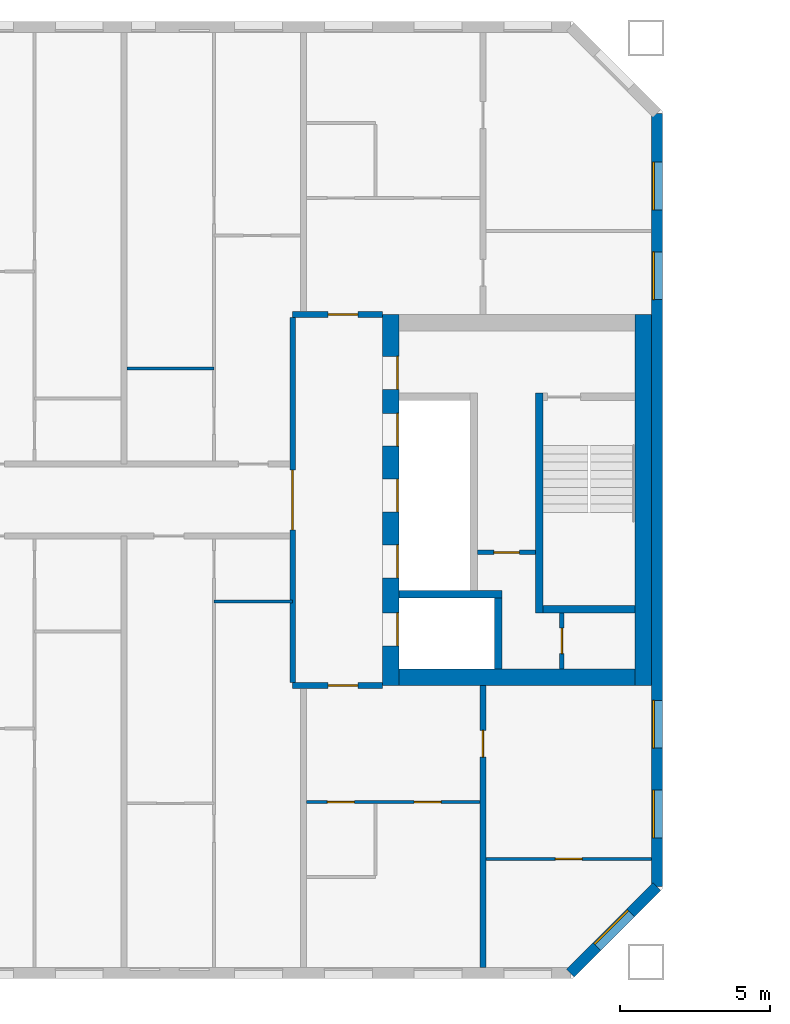
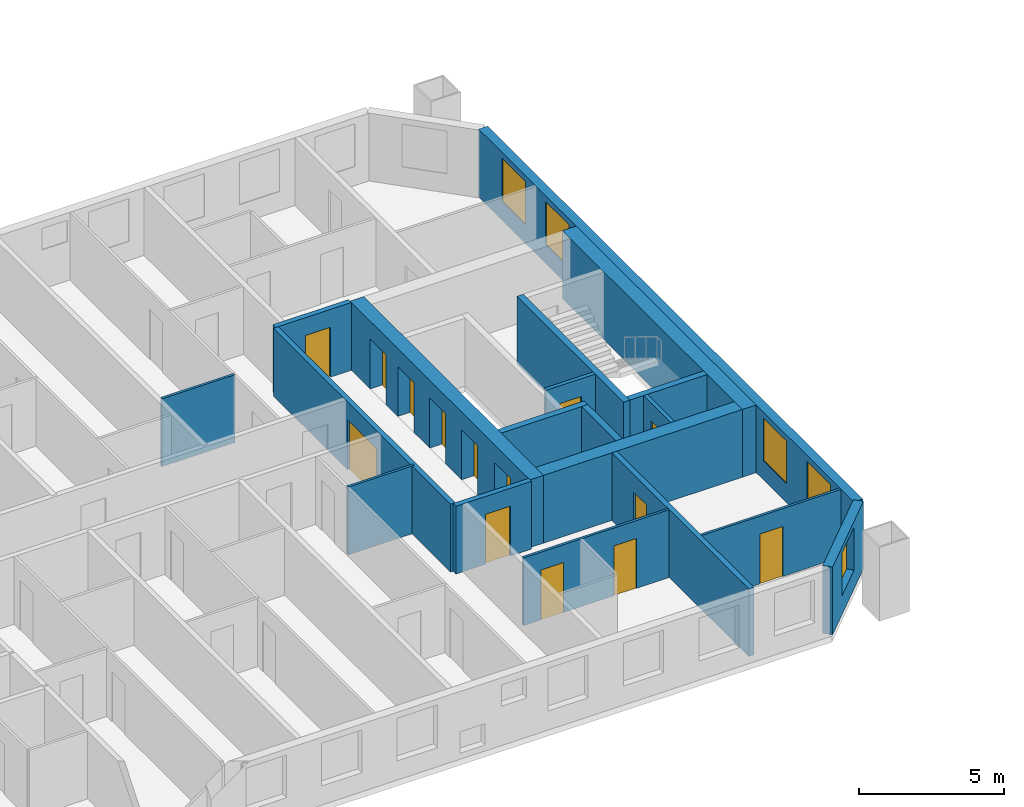
# One storey, part 7 of 16: 19 walls, 14 doors, 5 windows, 19 openings.
"""IFC4 building model written with IfcOpenShell, lengths in metres."""

from ifc_helpers import new_model, si_unit, direction, frame, frame_2d, origin, place, context, subcontext, project, spatial, rectangle, extrude, material, layer, layer_set, type_object, element, fill, save


model = new_model("IFC4")

# Units and contexts
model_context = context("Model", 3, precision=1e-05, world=origin(), true_north=direction((0.0, 1.0)))
body_context = subcontext(model_context, "Body", "Model", "MODEL_VIEW")
ifc_project = project(units=[si_unit("LENGTHUNIT", "METRE"), si_unit("AREAUNIT", "SQUARE_METRE"), si_unit("VOLUMEUNIT", "CUBIC_METRE"), si_unit("PLANEANGLEUNIT", "RADIAN"), si_unit("MASSUNIT", "GRAM", prefix="KILO")], contexts=[model_context])

# Site, building, storey
site_placement = place(None, origin())
site = spatial("IfcSite", under=ifc_project, at=site_placement, CompositionType="ELEMENT")
building_placement = place(site_placement, origin())
building = spatial("IfcBuilding", under=site, at=building_placement, Name="Tuart Gate Housing", CompositionType="ELEMENT")
storey_placement = place(building_placement, frame((0.0, 0.0, 133.0)))
storey = spatial("IfcBuildingStorey", under=building, at=storey_placement, Name="L37", CompositionType="ELEMENT", Elevation=133.0)

# Wall, opening, window
ifc_material_1 = material(Name="Brick", Category="masonry")
ifc_layer_1 = layer(ifc_material_1, 0.360107421875)
ifc_layer_set_1 = layer_set([ifc_layer_1], Name="Brick pier and spandrel wall 360")
wall_type_1 = type_object("IfcWallType", Name="Brick pier and spandrel wall 360", PredefinedType="STANDARD", material=ifc_layer_set_1)
wall_1_placement = place(storey_placement, frame((72.92529296875, 54.179931640625, 0.0), z_axis=(0.0, 0.0, 1.0), x_axis=(0.707106781187, 0.707106781187, 0.0)))
wall_1 = element("IfcWall", 1, at=wall_1_placement, inside=storey, type_object=wall_type_1, Name="External wall A-SE L37", PredefinedType="STANDARD", context=body_context, shape_type="SweptSolid", body=[
    extrude(rectangle(XDim=4.09375, YDim=0.360107421875, at=frame_2d((2.046875, 0.0))), origin(), (0.0, 0.0, 1.0), 2.85009765625),
])
opening_1_placement = place(wall_1_placement, frame((1.2470703125, 0.0, 0.800048828125)))
opening_1 = element("IfcOpeningElement", 2, at=opening_1_placement, cuts=wall_1, Name="Opening W1", PredefinedType="OPENING", context=body_context, shape_type="SweptSolid", body=[
    extrude(rectangle(XDim=1.60009765625, YDim=1.800048828125, at=frame_2d((0.800048828125, 0.89990234375))), frame((0.0, 0.18994140625, 0.0), z_axis=(0.0, -1.0, 0.0), x_axis=(1.0, 0.0, 0.0)), (0.0, 0.0, 1.0), 0.380126953125),
])
ifc_material_2 = material(Name="Aluminium frame with clear glass", Category="aluminium")
window_type = type_object("IfcWindowType", Name="Punched window 1600 x 1800", PartitioningType="SINGLE_PANEL", PredefinedType="WINDOW", material=ifc_material_2)
window_1_placement = place(opening_1_placement, origin())
window_1 = element("IfcWindow", 3, at=window_1_placement, inside=storey, type_object=window_type, Name="Window W1", OverallHeight=1.800048828125, OverallWidth=1.60009765625, PartitioningType="SINGLE_PANEL", PredefinedType="WINDOW", context=body_context, shape_type="SweptSolid", body=[
    extrude(rectangle(XDim=1.60009765625, YDim=1.800048828125, at=frame_2d((0.800048828125, 0.89990234375))), frame((0.0, 0.150146484375, 0.0), z_axis=(0.0, -1.0, 0.0), x_axis=(1.0, 0.0, 0.0)), (0.0, 0.0, 1.0), 0.06005859375),
])
fill(opening_1, window_1)

# Wall, openings, windows
wall_2_placement = place(storey_placement, frame((75.820068359375, 57.07470703125, 0.0), z_axis=(0.0, 0.0, 1.0), x_axis=(0.0, 1.0, 0.0)))
wall_2 = element("IfcWall", 4, at=wall_2_placement, inside=storey, type_object=wall_type_1, Name="External wall A-E L37", PredefinedType="STANDARD", context=body_context, shape_type="SweptSolid", body=[
    extrude(rectangle(XDim=25.850830078125, YDim=0.360107421875, at=frame_2d((12.92529296875, 0.0))), origin(), (0.0, 0.0, 1.0), 2.85009765625),
])
opening_2_placement = place(wall_2_placement, frame((1.62548828125, 0.0, 0.800048828125)))
opening_2 = element("IfcOpeningElement", 5, at=opening_2_placement, cuts=wall_2, Name="Opening W1", PredefinedType="OPENING", context=body_context, shape_type="SweptSolid", body=[
    extrude(rectangle(XDim=1.60009765625, YDim=1.800048828125, at=frame_2d((0.800048828125, 0.89990234375))), frame((0.0, 0.18994140625, 0.0), z_axis=(0.0, -1.0, 0.0), x_axis=(1.0, 0.0, 0.0)), (0.0, 0.0, 1.0), 0.380126953125),
])
opening_3_placement = place(wall_2_placement, frame((4.62548828125, 0.0, 0.800048828125)))
opening_3 = element("IfcOpeningElement", 6, at=opening_3_placement, cuts=wall_2, Name="Opening W1", PredefinedType="OPENING", context=body_context, shape_type="SweptSolid", body=[
    extrude(rectangle(XDim=1.60009765625, YDim=1.800048828125, at=frame_2d((0.800048828125, 0.89990234375))), frame((0.0, 0.18994140625, 0.0), z_axis=(0.0, -1.0, 0.0), x_axis=(1.0, 0.0, 0.0)), (0.0, 0.0, 1.0), 0.380126953125),
])
opening_4_placement = place(wall_2_placement, frame((19.62548828125, 0.0, 0.800048828125)))
opening_4 = element("IfcOpeningElement", 7, at=opening_4_placement, cuts=wall_2, Name="Opening W1", PredefinedType="OPENING", context=body_context, shape_type="SweptSolid", body=[
    extrude(rectangle(XDim=1.60009765625, YDim=1.800048828125, at=frame_2d((0.800048828125, 0.89990234375))), frame((0.0, 0.18994140625, 0.0), z_axis=(0.0, -1.0, 0.0), x_axis=(1.0, 0.0, 0.0)), (0.0, 0.0, 1.0), 0.380126953125),
])
opening_5_placement = place(wall_2_placement, frame((22.62548828125, 0.0, 0.800048828125)))
opening_5 = element("IfcOpeningElement", 8, at=opening_5_placement, cuts=wall_2, Name="Opening W1", PredefinedType="OPENING", context=body_context, shape_type="SweptSolid", body=[
    extrude(rectangle(XDim=1.60009765625, YDim=1.800048828125, at=frame_2d((0.800048828125, 0.89990234375))), frame((0.0, 0.18994140625, 0.0), z_axis=(0.0, -1.0, 0.0), x_axis=(1.0, 0.0, 0.0)), (0.0, 0.0, 1.0), 0.380126953125),
])
window_2_placement = place(opening_2_placement, origin())
window_2 = element("IfcWindow", 9, at=window_2_placement, inside=storey, type_object=window_type, Name="Window W1", OverallHeight=1.800048828125, OverallWidth=1.60009765625, PartitioningType="SINGLE_PANEL", PredefinedType="WINDOW", context=body_context, shape_type="SweptSolid", body=[
    extrude(rectangle(XDim=1.60009765625, YDim=1.800048828125, at=frame_2d((0.800048828125, 0.89990234375))), frame((0.0, 0.150146484375, 0.0), z_axis=(0.0, -1.0, 0.0), x_axis=(1.0, 0.0, 0.0)), (0.0, 0.0, 1.0), 0.06005859375),
])
fill(opening_2, window_2)
window_3_placement = place(opening_3_placement, origin())
window_3 = element("IfcWindow", 10, at=window_3_placement, inside=storey, type_object=window_type, Name="Window W1", OverallHeight=1.800048828125, OverallWidth=1.60009765625, PartitioningType="SINGLE_PANEL", PredefinedType="WINDOW", context=body_context, shape_type="SweptSolid", body=[
    extrude(rectangle(XDim=1.60009765625, YDim=1.800048828125, at=frame_2d((0.800048828125, 0.89990234375))), frame((0.0, 0.150146484375, 0.0), z_axis=(0.0, -1.0, 0.0), x_axis=(1.0, 0.0, 0.0)), (0.0, 0.0, 1.0), 0.06005859375),
])
fill(opening_3, window_3)
window_4_placement = place(opening_4_placement, origin())
window_4 = element("IfcWindow", 11, at=window_4_placement, inside=storey, type_object=window_type, Name="Window W1", OverallHeight=1.800048828125, OverallWidth=1.60009765625, PartitioningType="SINGLE_PANEL", PredefinedType="WINDOW", context=body_context, shape_type="SweptSolid", body=[
    extrude(rectangle(XDim=1.60009765625, YDim=1.800048828125, at=frame_2d((0.800048828125, 0.89990234375))), frame((0.0, 0.150146484375, 0.0), z_axis=(0.0, -1.0, 0.0), x_axis=(1.0, 0.0, 0.0)), (0.0, 0.0, 1.0), 0.06005859375),
])
fill(opening_4, window_4)
window_5_placement = place(opening_5_placement, origin())
window_5 = element("IfcWindow", 12, at=window_5_placement, inside=storey, type_object=window_type, Name="Window W1", OverallHeight=1.800048828125, OverallWidth=1.60009765625, PartitioningType="SINGLE_PANEL", PredefinedType="WINDOW", context=body_context, shape_type="SweptSolid", body=[
    extrude(rectangle(XDim=1.60009765625, YDim=1.800048828125, at=frame_2d((0.800048828125, 0.89990234375))), frame((0.0, 0.150146484375, 0.0), z_axis=(0.0, -1.0, 0.0), x_axis=(1.0, 0.0, 0.0)), (0.0, 0.0, 1.0), 0.06005859375),
])
fill(opening_5, window_5)

# Wall, opening, door
ifc_material_3 = material(Name="Plasterboard partition")
ifc_layer_2 = layer(ifc_material_3, 0.14990234375)
ifc_layer_set_2 = layer_set([ifc_layer_2], Name="Core partition 150")
wall_type_2 = type_object("IfcWallType", Name="Core partition 150", PredefinedType="PARTITIONING", material=ifc_layer_set_2)
wall_3_placement = place(storey_placement, frame((69.81494140625, 68.25, 0.0), z_axis=(0.0, 0.0, 1.0), x_axis=(1.0, 0.0, 0.0)))
wall_3 = element("IfcWall", 13, at=wall_3_placement, inside=storey, type_object=wall_type_2, Name="Core partition AG.3", PredefinedType="PARTITIONING", context=body_context, shape_type="SweptSolid", body=[
    extrude(rectangle(XDim=1.949951171875, YDim=0.14990234375, at=frame_2d((0.97509765625, 0.0))), origin(), (0.0, 0.0, 1.0), 2.85009765625),
])
opening_6_placement = place(wall_3_placement, frame((0.550048828125, 0.0, 0.0)))
opening_6 = element("IfcOpeningElement", 14, at=opening_6_placement, cuts=wall_3, Name="Opening D1440", PredefinedType="OPENING", context=body_context, shape_type="SweptSolid", body=[
    extrude(rectangle(XDim=0.85009765625, YDim=2.10009765625, at=frame_2d((0.425048828125, 1.050048828125))), frame((0.0, 0.0849609375, 0.0), z_axis=(0.0, -1.0, 0.0), x_axis=(1.0, 0.0, 0.0)), (0.0, 0.0, 1.0), 0.169921875),
])
ifc_material_4 = material(Name="Steel fire door", Category="steel")
door_type_1 = type_object("IfcDoorType", Name="Riser door 850 x 2100 RH", OperationType="SINGLE_SWING_RIGHT", PredefinedType="DOOR", material=ifc_material_4)
door_1_placement = place(opening_6_placement, frame((0.85009765625, 0.0, 0.0), z_axis=(0.0, 0.0, 1.0), x_axis=(-1.0, 0.0, 0.0)))
door_1 = element("IfcDoor", 15, at=door_1_placement, inside=storey, type_object=door_type_1, Name="Service room door AG.E1", OperationType="SINGLE_SWING_RIGHT", OverallHeight=2.10009765625, OverallWidth=0.85009765625, PredefinedType="DOOR", context=body_context, shape_type="SweptSolid", body=[
    extrude(rectangle(XDim=0.85009765625, YDim=2.10009765625, at=frame_2d((0.425048828125, 1.050048828125))), frame((0.0, 0.025146484375, 0.0), z_axis=(0.0, -1.0, 0.0), x_axis=(1.0, 0.0, 0.0)), (0.0, 0.0, 1.0), 0.050048828125),
])
fill(opening_6, door_1)

wall_4_placement = place(storey_placement, frame((72.639892578125, 64.35009765625, 0.0), z_axis=(0.0, 0.0, 1.0), x_axis=(0.0, 1.0, 0.0)))
wall_4 = element("IfcWall", 16, at=wall_4_placement, inside=storey, type_object=wall_type_2, Name="Core partition AG.9", PredefinedType="PARTITIONING", context=body_context, shape_type="SweptSolid", body=[
    extrude(rectangle(XDim=1.875, YDim=0.14990234375, at=frame_2d((0.9375, 0.0))), origin(), (0.0, 0.0, 1.0), 2.85009765625),
])
opening_7_placement = place(wall_4_placement, frame((0.512451171875, 0.0, 0.0)))
opening_7 = element("IfcOpeningElement", 17, at=opening_7_placement, cuts=wall_4, Name="Opening D1442", PredefinedType="OPENING", context=body_context, shape_type="SweptSolid", body=[
    extrude(rectangle(XDim=0.85009765625, YDim=2.10009765625, at=frame_2d((0.425048828125, 1.050048828125))), frame((0.0, 0.0849609375, 0.0), z_axis=(0.0, -1.0, 0.0), x_axis=(1.0, 0.0, 0.0)), (0.0, 0.0, 1.0), 0.169921875),
])
ifc_material_5 = material(Name="Steel fire door", Category="steel")
door_type_2 = type_object("IfcDoorType", Name="Service door 850 x 2100", OperationType="SINGLE_SWING_LEFT", PredefinedType="DOOR", material=ifc_material_5)
door_2_placement = place(opening_7_placement, origin())
door_2 = element("IfcDoor", 18, at=door_2_placement, inside=storey, type_object=door_type_2, Name="Service room door AG.E2", OperationType="SINGLE_SWING_LEFT", OverallHeight=2.10009765625, OverallWidth=0.85009765625, PredefinedType="DOOR", context=body_context, shape_type="SweptSolid", body=[
    extrude(rectangle(XDim=0.85009765625, YDim=2.10009765625, at=frame_2d((0.425048828125, 1.050048828125))), frame((0.0, 0.02490234375, 0.0), z_axis=(0.0, -1.0, 0.0), x_axis=(1.0, 0.0, 0.0)), (0.0, 0.0, 1.0), 0.050048828125),
])
fill(opening_7, door_2)

# Walls
ifc_material_6 = material(Name="Concrete C50", Category="concrete")
ifc_layer_3 = layer(ifc_material_6, 0.25)
ifc_layer_set_3 = layer_set([ifc_layer_3], Name="Core wall 250 C50")
wall_type_3 = type_object("IfcWallType", Name="Core wall 250 C50", PredefinedType="SHEAR", material=ifc_layer_set_3)
wall_5_placement = place(storey_placement, frame((72.014892578125, 66.35009765625, 0.0), z_axis=(0.0, 0.0, 1.0), x_axis=(1.0, 0.0, 0.0)))
element("IfcWall", 19, at=wall_5_placement, inside=storey, type_object=wall_type_3, Name="Core wall AG.1", PredefinedType="SHEAR", context=body_context, shape_type="SweptSolid", body=[
    extrude(rectangle(XDim=3.0751953125, YDim=0.25, at=frame_2d((1.53759765625, 0.0))), origin(), (0.0, 0.0, 1.0), 2.85009765625),
])
wall_6_placement = place(storey_placement, frame((67.18994140625, 66.85009765625, 0.0), z_axis=(0.0, 0.0, 1.0), x_axis=(1.0, 0.0, 0.0)))
element("IfcWall", 20, at=wall_6_placement, inside=storey, type_object=wall_type_3, Name="Core wall AG.2", PredefinedType="SHEAR", context=body_context, shape_type="SweptSolid", body=[
    extrude(rectangle(XDim=3.445068359375, YDim=0.25, at=frame_2d((1.72265625, 0.0))), origin(), (0.0, 0.0, 1.0), 2.85009765625),
])
wall_7_placement = place(storey_placement, frame((70.510009765625, 64.35009765625, 0.0), z_axis=(0.0, 0.0, 1.0), x_axis=(0.0, 1.0, 0.0)))
element("IfcWall", 21, at=wall_7_placement, inside=storey, type_object=wall_type_3, Name="Core wall AG.7", PredefinedType="SHEAR", context=body_context, shape_type="SweptSolid", body=[
    extrude(rectangle(XDim=2.375, YDim=0.25, at=frame_2d((1.1875, 0.0))), origin(), (0.0, 0.0, 1.0), 2.85009765625),
])
wall_8_placement = place(storey_placement, frame((71.889892578125, 66.22509765625, 0.0), z_axis=(0.0, 0.0, 1.0), x_axis=(0.0, 1.0, 0.0)))
element("IfcWall", 22, at=wall_8_placement, inside=storey, type_object=wall_type_3, Name="Core wall AG.8", PredefinedType="SHEAR", context=body_context, shape_type="SweptSolid", body=[
    extrude(rectangle(XDim=7.349853515625, YDim=0.25, at=frame_2d((3.6748046875, 0.0))), origin(), (0.0, 0.0, 1.0), 2.85009765625),
])

# Wall, openings, doors
ifc_material_7 = material(Name="Concrete C50", Category="concrete")
ifc_layer_4 = layer(ifc_material_7, 0.550048828125)
ifc_layer_set_4 = layer_set([ifc_layer_4], Name="Core wall 550 C50")
wall_type_4 = type_object("IfcWallType", Name="Core wall 550 C50", PredefinedType="SHEAR", material=ifc_layer_set_4)
wall_9_placement = place(storey_placement, frame((66.9150390625, 63.800048828125, 0.0), z_axis=(0.0, 0.0, 1.0), x_axis=(0.0, 1.0, 0.0)))
wall_9 = element("IfcWall", 23, at=wall_9_placement, inside=storey, type_object=wall_type_4, Name="Core wall AG front", PredefinedType="SHEAR", context=body_context, shape_type="SweptSolid", body=[
    extrude(rectangle(XDim=12.39990234375, YDim=0.550048828125, at=frame_2d((6.199951171875, 0.0))), origin(), (0.0, 0.0, 1.0), 2.85009765625),
])
opening_8_placement = place(wall_9_placement, frame((1.324951171875, 0.0, 0.0)))
opening_8 = element("IfcOpeningElement", 24, at=opening_8_placement, cuts=wall_9, Name="Opening LD-FA1", PredefinedType="OPENING", context=body_context, shape_type="SweptSolid", body=[
    extrude(rectangle(XDim=1.10009765625, YDim=2.10009765625, at=frame_2d((0.550048828125, 1.050048828125))), frame((0.0, 0.284912109375, 0.0), z_axis=(0.0, -1.0, 0.0), x_axis=(1.0, 0.0, 0.0)), (0.0, 0.0, 1.0), 0.570068359375),
])
opening_9_placement = place(wall_9_placement, frame((3.60009765625, 0.0, 0.0)))
opening_9 = element("IfcOpeningElement", 25, at=opening_9_placement, cuts=wall_9, Name="Opening LD-LA1", PredefinedType="OPENING", context=body_context, shape_type="SweptSolid", body=[
    extrude(rectangle(XDim=1.10009765625, YDim=2.10009765625, at=frame_2d((0.550048828125, 1.050048828125))), frame((0.0, 0.284912109375, 0.0), z_axis=(0.0, -1.0, 0.0), x_axis=(1.0, 0.0, 0.0)), (0.0, 0.0, 1.0), 0.570068359375),
])
opening_10_placement = place(wall_9_placement, frame((5.800048828125, 0.0, 0.0)))
opening_10 = element("IfcOpeningElement", 26, at=opening_10_placement, cuts=wall_9, Name="Opening LD-LA2", PredefinedType="OPENING", context=body_context, shape_type="SweptSolid", body=[
    extrude(rectangle(XDim=1.10009765625, YDim=2.10009765625, at=frame_2d((0.550048828125, 1.050048828125))), frame((0.0, 0.284912109375, 0.0), z_axis=(0.0, -1.0, 0.0), x_axis=(1.0, 0.0, 0.0)), (0.0, 0.0, 1.0), 0.570068359375),
])
opening_11_placement = place(wall_9_placement, frame((8.0, 0.0, 0.0)))
opening_11 = element("IfcOpeningElement", 27, at=opening_11_placement, cuts=wall_9, Name="Opening LD-LA3", PredefinedType="OPENING", context=body_context, shape_type="SweptSolid", body=[
    extrude(rectangle(XDim=1.10009765625, YDim=2.10009765625, at=frame_2d((0.550048828125, 1.050048828125))), frame((0.0, 0.284912109375, 0.0), z_axis=(0.0, -1.0, 0.0), x_axis=(1.0, 0.0, 0.0)), (0.0, 0.0, 1.0), 0.570068359375),
])
opening_12_placement = place(wall_9_placement, frame((9.89990234375, 0.0, 0.0)))
opening_12 = element("IfcOpeningElement", 28, at=opening_12_placement, cuts=wall_9, Name="Opening D1436", PredefinedType="OPENING", context=body_context, shape_type="SweptSolid", body=[
    extrude(rectangle(XDim=1.10009765625, YDim=2.10009765625, at=frame_2d((0.550048828125, 1.050048828125))), frame((0.0, 0.284912109375, 0.0), z_axis=(0.0, -1.0, 0.0), x_axis=(1.0, 0.0, 0.0)), (0.0, 0.0, 1.0), 0.570068359375),
])
ifc_material_8 = material(Name="Stainless steel", Category="steel")
door_type_3 = type_object("IfcDoorType", Name="Landing door 1100 x 2100", OperationType="DOUBLE_DOOR_SLIDING", PredefinedType="DOOR", material=ifc_material_8)
door_3_placement = place(opening_8_placement, origin())
door_3 = element("IfcDoor", 29, at=door_3_placement, inside=storey, type_object=door_type_3, Name="Lift landing door FA1", OperationType="DOUBLE_DOOR_SLIDING", OverallHeight=2.10009765625, OverallWidth=1.10009765625, PredefinedType="DOOR", context=body_context, shape_type="SweptSolid", body=[
    extrude(rectangle(XDim=1.10009765625, YDim=2.10009765625, at=frame_2d((0.550048828125, 1.050048828125))), frame((0.0, -0.2099609375, 0.0), z_axis=(0.0, -1.0, 0.0), x_axis=(1.0, 0.0, 0.0)), (0.0, 0.0, 1.0), 0.050048828125),
])
fill(opening_8, door_3)
door_4_placement = place(opening_9_placement, origin())
door_4 = element("IfcDoor", 30, at=door_4_placement, inside=storey, type_object=door_type_3, Name="Lift landing door LA1", OperationType="DOUBLE_DOOR_SLIDING", OverallHeight=2.10009765625, OverallWidth=1.10009765625, PredefinedType="DOOR", context=body_context, shape_type="SweptSolid", body=[
    extrude(rectangle(XDim=1.10009765625, YDim=2.10009765625, at=frame_2d((0.550048828125, 1.050048828125))), frame((0.0, -0.2099609375, 0.0), z_axis=(0.0, -1.0, 0.0), x_axis=(1.0, 0.0, 0.0)), (0.0, 0.0, 1.0), 0.050048828125),
])
fill(opening_9, door_4)
door_5_placement = place(opening_10_placement, origin())
door_5 = element("IfcDoor", 31, at=door_5_placement, inside=storey, type_object=door_type_3, Name="Lift landing door LA2", OperationType="DOUBLE_DOOR_SLIDING", OverallHeight=2.10009765625, OverallWidth=1.10009765625, PredefinedType="DOOR", context=body_context, shape_type="SweptSolid", body=[
    extrude(rectangle(XDim=1.10009765625, YDim=2.10009765625, at=frame_2d((0.550048828125, 1.050048828125))), frame((0.0, -0.2099609375, 0.0), z_axis=(0.0, -1.0, 0.0), x_axis=(1.0, 0.0, 0.0)), (0.0, 0.0, 1.0), 0.050048828125),
])
fill(opening_10, door_5)
door_6_placement = place(opening_11_placement, origin())
door_6 = element("IfcDoor", 32, at=door_6_placement, inside=storey, type_object=door_type_3, Name="Lift landing door LA3", OperationType="DOUBLE_DOOR_SLIDING", OverallHeight=2.10009765625, OverallWidth=1.10009765625, PredefinedType="DOOR", context=body_context, shape_type="SweptSolid", body=[
    extrude(rectangle(XDim=1.10009765625, YDim=2.10009765625, at=frame_2d((0.550048828125, 1.050048828125))), frame((0.0, -0.2099609375, 0.0), z_axis=(0.0, -1.0, 0.0), x_axis=(1.0, 0.0, 0.0)), (0.0, 0.0, 1.0), 0.050048828125),
])
fill(opening_11, door_6)
ifc_material_9 = material(Name="Steel fire door", Category="steel")
door_type_4 = type_object("IfcDoorType", Name="Lobby door 1100 x 2100 RH", OperationType="SINGLE_SWING_RIGHT", PredefinedType="DOOR", material=ifc_material_9)
door_7_placement = place(opening_12_placement, frame((1.10009765625, 0.0, 0.0), z_axis=(0.0, 0.0, 1.0), x_axis=(-1.0, 0.0, 0.0)))
door_7 = element("IfcDoor", 33, at=door_7_placement, inside=storey, type_object=door_type_4, Name="Lobby entry door AG.EN", OperationType="SINGLE_SWING_RIGHT", OverallHeight=2.10009765625, OverallWidth=1.10009765625, PredefinedType="DOOR", context=body_context, shape_type="SweptSolid", body=[
    extrude(rectangle(XDim=1.10009765625, YDim=2.10009765625, at=frame_2d((0.550048828125, 1.050048828125))), frame((0.0, 0.260009765625, 0.0), z_axis=(0.0, -1.0, 0.0), x_axis=(1.0, 0.0, 0.0)), (0.0, 0.0, 1.0), 0.050048828125),
])
fill(opening_12, door_7)

# Walls
wall_10_placement = place(storey_placement, frame((75.364990234375, 63.800048828125, 0.0), z_axis=(0.0, 0.0, 1.0), x_axis=(0.0, 1.0, 0.0)))
element("IfcWall", 34, at=wall_10_placement, inside=storey, type_object=wall_type_4, Name="Core wall AG back", PredefinedType="SHEAR", context=body_context, shape_type="SweptSolid", body=[
    extrude(rectangle(XDim=12.39990234375, YDim=0.550048828125, at=frame_2d((6.199951171875, 0.0))), origin(), (0.0, 0.0, 1.0), 2.85009765625),
])
wall_11_placement = place(storey_placement, frame((67.18994140625, 64.074951171875, 0.0), z_axis=(0.0, 0.0, 1.0), x_axis=(1.0, 0.0, 0.0)))
element("IfcWall", 35, at=wall_11_placement, inside=storey, type_object=wall_type_4, Name="Core wall AG south", PredefinedType="SHEAR", context=body_context, shape_type="SweptSolid", body=[
    extrude(rectangle(XDim=7.900146484375, YDim=0.550048828125, at=frame_2d((3.9501953125, 0.0))), origin(), (0.0, 0.0, 1.0), 2.85009765625),
])

# Wall, opening, door
ifc_material_10 = material(Name="Concrete masonry 15 MPa", Category="masonry")
ifc_layer_5 = layer(ifc_material_10, 0.199951171875)
ifc_layer_set_5 = layer_set([ifc_layer_5], Name="Enclosure wall masonry 200")
wall_type_5 = type_object("IfcWallType", Name="Enclosure wall masonry 200", PredefinedType="PARTITIONING", material=ifc_layer_set_5)
wall_12_placement = place(storey_placement, frame((63.639892578125, 63.800048828125, 0.0), z_axis=(0.0, 0.0, 1.0), x_axis=(1.0, 0.0, 0.0)))
wall_12 = element("IfcWall", 36, at=wall_12_placement, inside=storey, type_object=wall_type_5, Name="Enclosure wall masonry 200", PredefinedType="PARTITIONING", context=body_context, shape_type="SweptSolid", body=[
    extrude(rectangle(XDim=3.0, YDim=0.199951171875, at=frame_2d((1.5, 0.0))), origin(), (0.0, 0.0, 1.0), 2.85009765625),
])
opening_13_placement = place(wall_12_placement, frame((1.179931640625, 0.0, 0.0)))
opening_13 = element("IfcOpeningElement", 37, at=opening_13_placement, cuts=wall_12, Name="Opening D1444", PredefinedType="OPENING", context=body_context, shape_type="SweptSolid", body=[
    extrude(rectangle(XDim=1.0, YDim=2.10009765625, at=frame_2d((0.5, 1.050048828125))), frame((0.0, 0.10986328125, 0.0), z_axis=(0.0, -1.0, 0.0), x_axis=(1.0, 0.0, 0.0)), (0.0, 0.0, 1.0), 0.219970703125),
])
ifc_material_11 = material(Name="Timber door leaf in steel frame", Category="steel")
door_type_5 = type_object("IfcDoorType", Name="Flat entrance door 1000 RH", OperationType="SINGLE_SWING_RIGHT", PredefinedType="DOOR", material=ifc_material_11)
door_8_placement = place(opening_13_placement, frame((1.0, 0.0, 0.0), z_axis=(0.0, 0.0, 1.0), x_axis=(-1.0, 0.0, 0.0)))
door_8 = element("IfcDoor", 38, at=door_8_placement, inside=storey, type_object=door_type_5, Name="Flat entrance door", OperationType="SINGLE_SWING_RIGHT", OverallHeight=2.10009765625, OverallWidth=1.0, PredefinedType="DOOR", context=body_context, shape_type="SweptSolid", body=[
    extrude(rectangle(XDim=1.0, YDim=2.10009765625, at=frame_2d((0.5, 1.050048828125))), frame((0.0, 0.025146484375, 0.0), z_axis=(0.0, -1.0, 0.0), x_axis=(1.0, 0.0, 0.0)), (0.0, 0.0, 1.0), 0.050048828125),
])
fill(opening_13, door_8)

wall_13_placement = place(storey_placement, frame((63.639892578125, 76.199951171875, 0.0), z_axis=(0.0, 0.0, 1.0), x_axis=(1.0, 0.0, 0.0)))
wall_13 = element("IfcWall", 39, at=wall_13_placement, inside=storey, type_object=wall_type_5, Name="Enclosure wall masonry 200", PredefinedType="PARTITIONING", context=body_context, shape_type="SweptSolid", body=[
    extrude(rectangle(XDim=3.0, YDim=0.199951171875, at=frame_2d((1.5, 0.0))), origin(), (0.0, 0.0, 1.0), 2.85009765625),
])
opening_14_placement = place(wall_13_placement, frame((1.179931640625, 0.0, 0.0)))
opening_14 = element("IfcOpeningElement", 40, at=opening_14_placement, cuts=wall_13, Name="Opening D1422", PredefinedType="OPENING", context=body_context, shape_type="SweptSolid", body=[
    extrude(rectangle(XDim=1.0, YDim=2.10009765625, at=frame_2d((0.5, 1.050048828125))), frame((0.0, 0.10986328125, 0.0), z_axis=(0.0, -1.0, 0.0), x_axis=(1.0, 0.0, 0.0)), (0.0, 0.0, 1.0), 0.219970703125),
])
ifc_material_12 = material(Name="Timber door leaf in steel frame", Category="steel")
door_type_6 = type_object("IfcDoorType", Name="Flat entrance door 1000", OperationType="SINGLE_SWING_LEFT", PredefinedType="DOOR", material=ifc_material_12)
door_9_placement = place(opening_14_placement, origin())
door_9 = element("IfcDoor", 41, at=door_9_placement, inside=storey, type_object=door_type_6, Name="Flat entrance door", OperationType="SINGLE_SWING_LEFT", OverallHeight=2.10009765625, OverallWidth=1.0, PredefinedType="DOOR", context=body_context, shape_type="SweptSolid", body=[
    extrude(rectangle(XDim=1.0, YDim=2.10009765625, at=frame_2d((0.5, 1.050048828125))), frame((0.0, 0.02490234375, 0.0), z_axis=(0.0, -1.0, 0.0), x_axis=(1.0, 0.0, 0.0)), (0.0, 0.0, 1.0), 0.050048828125),
])
fill(opening_14, door_9)

ifc_material_13 = material(Name="Plasterboard partition")
ifc_layer_6 = layer(ifc_material_13, 0.199951171875)
ifc_layer_set_6 = layer_set([ifc_layer_6], Name="Lobby wall 200")
wall_type_6 = type_object("IfcWallType", Name="Lobby wall 200", PredefinedType="PARTITIONING", material=ifc_layer_set_6)
wall_14_placement = place(storey_placement, frame((63.639892578125, 63.89990234375, 0.0), z_axis=(0.0, 0.0, 1.0), x_axis=(0.0, 1.0, 0.0)))
wall_14 = element("IfcWall", 42, at=wall_14_placement, inside=storey, type_object=wall_type_6, Name="Lift lobby wall AG", PredefinedType="PARTITIONING", context=body_context, shape_type="SweptSolid", body=[
    extrude(rectangle(XDim=12.2001953125, YDim=0.199951171875, at=frame_2d((6.10009765625, 0.0))), origin(), (0.0, 0.0, 1.0), 2.85009765625),
])
opening_15_placement = place(wall_14_placement, frame((5.10009765625, 0.0, 0.0)))
opening_15 = element("IfcOpeningElement", 43, at=opening_15_placement, cuts=wall_14, Name="Opening D1435", PredefinedType="OPENING", context=body_context, shape_type="SweptSolid", body=[
    extrude(rectangle(XDim=2.0, YDim=2.10009765625, at=frame_2d((1.0, 1.050048828125))), frame((0.0, 0.10986328125, 0.0), z_axis=(0.0, -1.0, 0.0), x_axis=(1.0, 0.0, 0.0)), (0.0, 0.0, 1.0), 0.219970703125),
])
ifc_material_14 = material(Name="Steel fire door", Category="steel")
door_type_7 = type_object("IfcDoorType", Name="Smoke door 2000 x 2100", OperationType="DOUBLE_DOOR_SINGLE_SWING", PredefinedType="DOOR", material=ifc_material_14)
door_10_placement = place(opening_15_placement, frame((2.0, 0.0, 0.0), z_axis=(0.0, 0.0, 1.0), x_axis=(-1.0, 0.0, 0.0)))
door_10 = element("IfcDoor", 44, at=door_10_placement, inside=storey, type_object=door_type_7, Name="Lift lobby smoke door AG", OperationType="DOUBLE_DOOR_SINGLE_SWING", OverallHeight=2.10009765625, OverallWidth=2.0, PredefinedType="DOOR", context=body_context, shape_type="SweptSolid", body=[
    extrude(rectangle(XDim=2.0, YDim=2.10009765625, at=frame_2d((1.0, 1.050048828125))), frame((0.0, 0.025146484375, 0.0), z_axis=(0.0, -1.0, 0.0), x_axis=(1.0, 0.0, 0.0)), (0.0, 0.0, 1.0), 0.050048828125),
])
fill(opening_15, door_10)

ifc_material_15 = material(Name="Gypsum board on steel studs", Category="steel")
ifc_layer_7 = layer(ifc_material_15, 0.10009765625)
ifc_layer_set_7 = layer_set([ifc_layer_7], Name="Partition 100")
wall_type_7 = type_object("IfcWallType", Name="Partition 100", PredefinedType="PARTITIONING", material=ifc_layer_set_7)
wall_15_placement = place(storey_placement, frame((70.10009765625, 58.0, 0.0), z_axis=(0.0, 0.0, 1.0), x_axis=(1.0, 0.0, 0.0)))
wall_15 = element("IfcWall", 45, at=wall_15_placement, inside=storey, type_object=wall_type_7, Name="Partition 100", PredefinedType="PARTITIONING", context=body_context, shape_type="SweptSolid", body=[
    extrude(rectangle(XDim=5.539794921875, YDim=0.10009765625, at=frame_2d((2.77001953125, 0.0))), origin(), (0.0, 0.0, 1.0), 2.85009765625),
])
opening_16_placement = place(wall_15_placement, frame((2.320068359375, 0.0, 0.0)))
opening_16 = element("IfcOpeningElement", 46, at=opening_16_placement, cuts=wall_15, Name="Opening D1463", PredefinedType="OPENING", context=body_context, shape_type="SweptSolid", body=[
    extrude(rectangle(XDim=0.89990234375, YDim=2.10009765625, at=frame_2d((0.449951171875, 1.050048828125))), frame((0.0, 0.06005859375, 0.0), z_axis=(0.0, -1.0, 0.0), x_axis=(1.0, 0.0, 0.0)), (0.0, 0.0, 1.0), 0.1201171875),
])
ifc_material_16 = material(Name="Timber door leaf in steel frame", Category="steel")
door_type_8 = type_object("IfcDoorType", Name="Internal door 900", OperationType="SINGLE_SWING_LEFT", PredefinedType="DOOR", material=ifc_material_16)
door_11_placement = place(opening_16_placement, frame((0.89990234375, 0.0, 0.0), z_axis=(0.0, 0.0, 1.0), x_axis=(-1.0, 0.0, 0.0)))
door_11 = element("IfcDoor", 47, at=door_11_placement, inside=storey, type_object=door_type_8, Name="Internal door", OperationType="SINGLE_SWING_LEFT", OverallHeight=2.10009765625, OverallWidth=0.89990234375, PredefinedType="DOOR", context=body_context, shape_type="SweptSolid", body=[
    extrude(rectangle(XDim=0.89990234375, YDim=2.10009765625, at=frame_2d((0.449951171875, 1.050048828125))), frame((0.0, 0.025146484375, 0.0), z_axis=(0.0, -1.0, 0.0), x_axis=(1.0, 0.0, 0.0)), (0.0, 0.0, 1.0), 0.050048828125),
])
fill(opening_16, door_11)

# Wall, openings, doors
wall_16_placement = place(storey_placement, frame((64.10009765625, 59.89990234375, 0.0), z_axis=(0.0, 0.0, 1.0), x_axis=(1.0, 0.0, 0.0)))
wall_16 = element("IfcWall", 48, at=wall_16_placement, inside=storey, type_object=wall_type_7, Name="Partition 100", PredefinedType="PARTITIONING", context=body_context, shape_type="SweptSolid", body=[
    extrude(rectangle(XDim=5.7998046875, YDim=0.10009765625, at=frame_2d((2.89990234375, 0.0))), origin(), (0.0, 0.0, 1.0), 2.85009765625),
])
opening_17_placement = place(wall_16_placement, frame((3.60009765625, 0.0, 0.0)))
opening_17 = element("IfcOpeningElement", 49, at=opening_17_placement, cuts=wall_16, Name="Opening D1457", PredefinedType="OPENING", context=body_context, shape_type="SweptSolid", body=[
    extrude(rectangle(XDim=0.89990234375, YDim=2.10009765625, at=frame_2d((0.449951171875, 1.050048828125))), frame((0.0, 0.06005859375, 0.0), z_axis=(0.0, -1.0, 0.0), x_axis=(1.0, 0.0, 0.0)), (0.0, 0.0, 1.0), 0.1201171875),
])
opening_18_placement = place(wall_16_placement, frame((0.699951171875, 0.0, 0.0)))
opening_18 = element("IfcOpeningElement", 50, at=opening_18_placement, cuts=wall_16, Name="Opening D1456", PredefinedType="OPENING", context=body_context, shape_type="SweptSolid", body=[
    extrude(rectangle(XDim=0.89990234375, YDim=2.10009765625, at=frame_2d((0.449951171875, 1.050048828125))), frame((0.0, 0.06005859375, 0.0), z_axis=(0.0, -1.0, 0.0), x_axis=(1.0, 0.0, 0.0)), (0.0, 0.0, 1.0), 0.1201171875),
])
ifc_material_17 = material(Name="Timber door leaf in steel frame", Category="steel")
door_type_9 = type_object("IfcDoorType", Name="Bathroom door 900", OperationType="SINGLE_SWING_LEFT", PredefinedType="DOOR", material=ifc_material_17)
door_12_placement = place(opening_18_placement, frame((0.89990234375, 0.0, 0.0), z_axis=(0.0, 0.0, 1.0), x_axis=(-1.0, 0.0, 0.0)))
door_12 = element("IfcDoor", 51, at=door_12_placement, inside=storey, type_object=door_type_9, Name="Bathroom door", OperationType="SINGLE_SWING_LEFT", OverallHeight=2.10009765625, OverallWidth=0.89990234375, PredefinedType="DOOR", context=body_context, shape_type="SweptSolid", body=[
    extrude(rectangle(XDim=0.89990234375, YDim=2.10009765625, at=frame_2d((0.449951171875, 1.050048828125))), frame((0.0, 0.025146484375, 0.0), z_axis=(0.0, -1.0, 0.0), x_axis=(1.0, 0.0, 0.0)), (0.0, 0.0, 1.0), 0.050048828125),
])
fill(opening_18, door_12)
ifc_material_18 = material(Name="Timber door leaf in steel frame", Category="steel")
door_type_10 = type_object("IfcDoorType", Name="Internal door 900 RH", OperationType="SINGLE_SWING_RIGHT", PredefinedType="DOOR", material=ifc_material_18)
door_13_placement = place(opening_17_placement, frame((0.89990234375, 0.0, 0.0), z_axis=(0.0, 0.0, 1.0), x_axis=(-1.0, 0.0, 0.0)))
door_13 = element("IfcDoor", 52, at=door_13_placement, inside=storey, type_object=door_type_10, Name="Internal door", OperationType="SINGLE_SWING_RIGHT", OverallHeight=2.10009765625, OverallWidth=0.89990234375, PredefinedType="DOOR", context=body_context, shape_type="SweptSolid", body=[
    extrude(rectangle(XDim=0.89990234375, YDim=2.10009765625, at=frame_2d((0.449951171875, 1.050048828125))), frame((0.0, 0.025146484375, 0.0), z_axis=(0.0, -1.0, 0.0), x_axis=(1.0, 0.0, 0.0)), (0.0, 0.0, 1.0), 0.050048828125),
])
fill(opening_17, door_13)

# Walls
wall_17_placement = place(storey_placement, frame((61.0, 66.60009765625, 0.0), z_axis=(0.0, 0.0, 1.0), x_axis=(1.0, 0.0, 0.0)))
element("IfcWall", 53, at=wall_17_placement, inside=storey, type_object=wall_type_7, Name="Partition 100", PredefinedType="PARTITIONING", context=body_context, shape_type="SweptSolid", body=[
    extrude(rectangle(XDim=2.639892578125, YDim=0.10009765625, at=frame_2d((1.31982421875, 0.0))), origin(), (0.0, 0.0, 1.0), 2.85009765625),
])
wall_18_placement = place(storey_placement, frame((58.10009765625, 74.39990234375, 0.0), z_axis=(0.0, 0.0, 1.0), x_axis=(1.0, 0.0, 0.0)))
element("IfcWall", 54, at=wall_18_placement, inside=storey, type_object=wall_type_7, Name="Partition 100", PredefinedType="PARTITIONING", context=body_context, shape_type="SweptSolid", body=[
    extrude(rectangle(XDim=2.89990234375, YDim=0.10009765625, at=frame_2d((1.449951171875, 0.0))), origin(), (0.0, 0.0, 1.0), 2.85009765625),
])

# Wall, opening, door
ifc_material_19 = material(Name="Concrete C40", Category="concrete")
ifc_layer_8 = layer(ifc_material_19, 0.199951171875)
ifc_layer_set_8 = layer_set([ifc_layer_8], Name="Party wall concrete C40 200")
wall_type_8 = type_object("IfcWallType", Name="Party wall concrete C40 200", PredefinedType="SOLIDWALL", material=ifc_layer_set_8)
wall_19_placement = place(storey_placement, frame((70.0, 54.360107421875, 0.0), z_axis=(0.0, 0.0, 1.0), x_axis=(0.0, 1.0, 0.0)))
wall_19 = element("IfcWall", 55, at=wall_19_placement, inside=storey, type_object=wall_type_8, Name="Party wall concrete C40 200", PredefinedType="SOLIDWALL", context=body_context, shape_type="SweptSolid", body=[
    extrude(rectangle(XDim=9.43994140625, YDim=0.199951171875, at=frame_2d((4.719970703125, 0.0))), origin(), (0.0, 0.0, 1.0), 2.85009765625),
])
opening_19_placement = place(wall_19_placement, frame((7.0400390625, 0.0, 0.0)))
opening_19 = element("IfcOpeningElement", 56, at=opening_19_placement, cuts=wall_19, Name="Opening D1462", PredefinedType="OPENING", context=body_context, shape_type="SweptSolid", body=[
    extrude(rectangle(XDim=0.89990234375, YDim=2.10009765625, at=frame_2d((0.449951171875, 1.050048828125))), frame((0.0, 0.10986328125, 0.0), z_axis=(0.0, -1.0, 0.0), x_axis=(1.0, 0.0, 0.0)), (0.0, 0.0, 1.0), 0.219970703125),
])
door_14_placement = place(opening_19_placement, origin())
door_14 = element("IfcDoor", 57, at=door_14_placement, inside=storey, type_object=door_type_8, Name="Internal door", OperationType="SINGLE_SWING_LEFT", OverallHeight=2.10009765625, OverallWidth=0.89990234375, PredefinedType="DOOR", context=body_context, shape_type="SweptSolid", body=[
    extrude(rectangle(XDim=0.89990234375, YDim=2.10009765625, at=frame_2d((0.449951171875, 1.050048828125))), frame((0.0, 0.02490234375, 0.0), z_axis=(0.0, -1.0, 0.0), x_axis=(1.0, 0.0, 0.0)), (0.0, 0.0, 1.0), 0.050048828125),
])
fill(opening_19, door_14)

save(model, "model.ifc")
